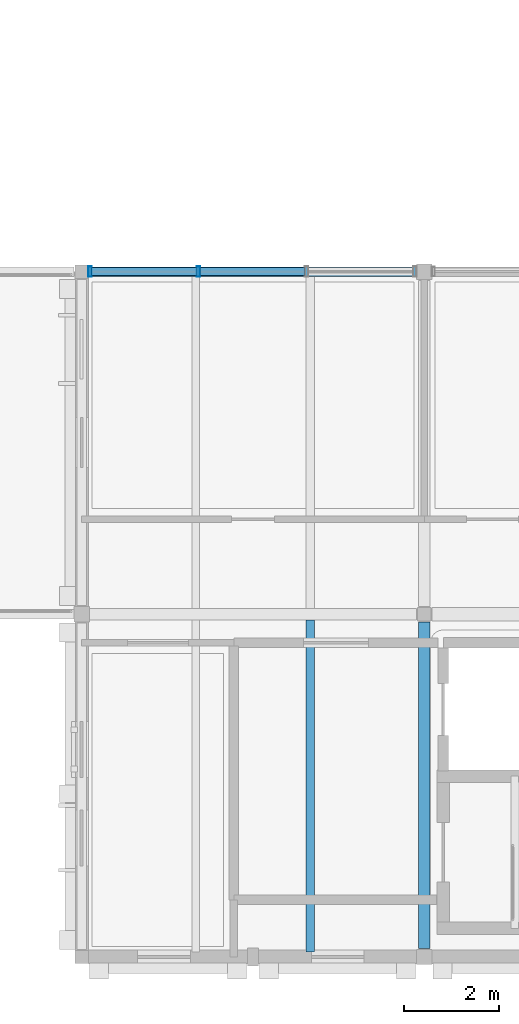
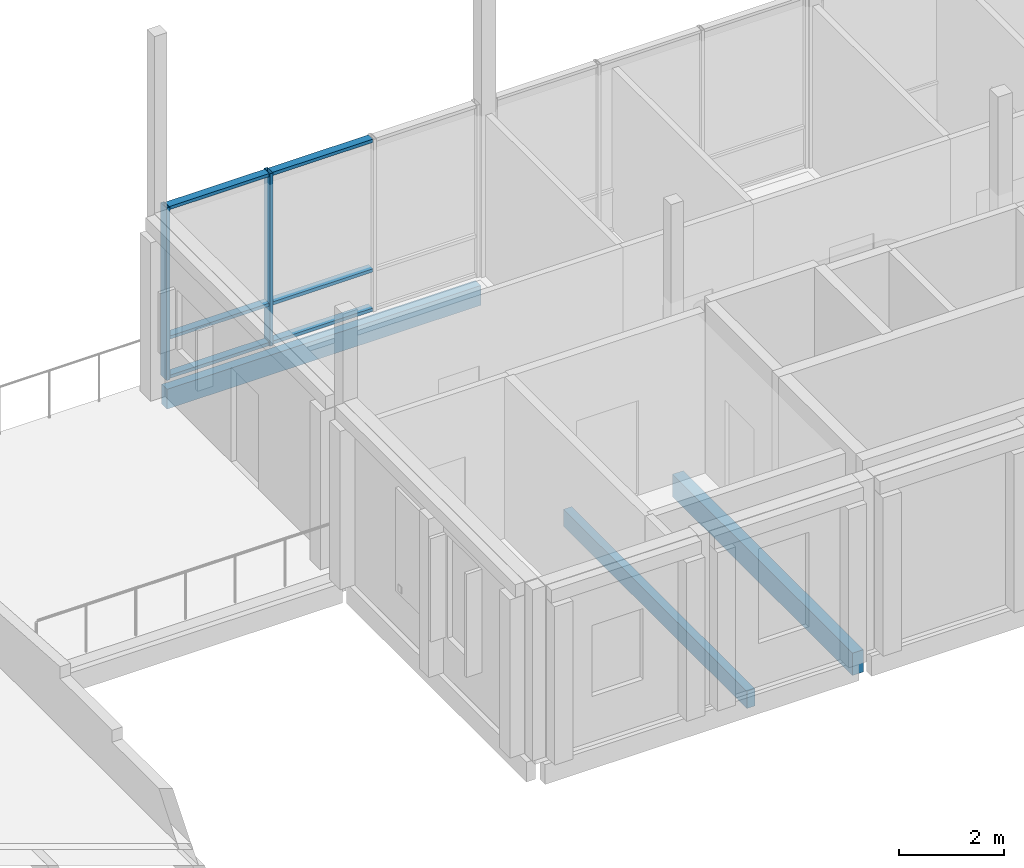
# One storey, part 7 of 57: 8 members, 3 beams, 1 element without a shape of its own.
"""IFC4 building model written with IfcOpenShell, lengths in metres."""

import ifcopenshell
import ifcopenshell.guid

model = None  # the IFC model being written
_history = None  # IfcOwnerHistory: only IFC2X3 demands one
_inside = {}  # id of a spatial element -> (the spatial element, [elements in it])
_under = {}  # id of a project, library or spatial element -> (it, [spatial elements below it])
_declared = {}  # id of a project -> (the project, [libraries it declares])
_typed = {}  # id of a type object -> (the type object, [elements of that type])
_made_of = {}  # id of a material, layer set ... -> (it, [elements and type objects made of it])


def new_model(schema):
    """Start an empty IFC model of exactly this schema.

    Asked for "IFC4X3", IfcOpenShell would pick the latest addendum, in which some entities
    have other attributes; the version numbers below select the first issue.
    IFC2X3 requires an IfcOwnerHistory on every rooted entity: one is made here for all.
    """
    global model, _history
    if schema == "IFC4X3":
        model = ifcopenshell.file(schema_version=(4, 3, 0, 0))
    else:
        model = ifcopenshell.file(schema=schema)
    _inside.clear()
    _under.clear()
    _declared.clear()
    _typed.clear()
    _made_of.clear()
    _history = None
    if model.schema == "IFC2X3":
        org = make("IfcOrganization", Name="unknown")
        user = make(
            "IfcPersonAndOrganization",
            ThePerson=make("IfcPerson", FamilyName="unknown"),
            TheOrganization=org,
        )
        app = make(
            "IfcApplication",
            ApplicationDeveloper=org,
            Version="unknown",
            ApplicationFullName="unknown",
            ApplicationIdentifier="unknown",
        )
        _history = make(
            "IfcOwnerHistory",
            OwningUser=user,
            OwningApplication=app,
            ChangeAction="ADDED",
            CreationDate=0,
        )
    return model


def make(cls, **values):
    """One entity of the class cls with the attributes given. An attribute that is None is left unset."""
    return model.create_entity(
        cls, **{name: value for name, value in values.items() if value is not None}
    )


def rooted(cls, **values):
    """An entity with a GlobalId (a new one), such as an element, a storey or a relation."""
    return make(cls, GlobalId=ifcopenshell.guid.new(), OwnerHistory=_history, **values)


def si_unit(unit_type, name, prefix=None):
    """IfcSIUnit, for example si_unit("LENGTHUNIT", "METRE", prefix="MILLI")."""
    return make("IfcSIUnit", UnitType=unit_type, Prefix=prefix, Name=name)


def assignment(units):
    """IfcUnitAssignment: the units of a project."""
    return None if units is None else make("IfcUnitAssignment", Units=units)


def point(xyz):
    """IfcCartesianPoint."""
    return None if xyz is None else make("IfcCartesianPoint", Coordinates=xyz)


def direction(xyz):
    """IfcDirection."""
    return None if xyz is None else make("IfcDirection", DirectionRatios=xyz)


def frame(location, z_axis=None, x_axis=None):
    """IfcAxis2Placement3D, a coordinate frame: its origin and axes. An axis left out is left unset."""
    return make(
        "IfcAxis2Placement3D",
        Location=point(location),
        Axis=direction(z_axis),
        RefDirection=direction(x_axis),
    )


def frame_2d(location, x_axis=None):
    """IfcAxis2Placement2D, a coordinate frame in the plane: its origin and x axis."""
    return make(
        "IfcAxis2Placement2D", Location=point(location), RefDirection=direction(x_axis)
    )


def origin():
    """The frame at (0, 0, 0) with its axes left unset."""
    return frame((0.0, 0.0, 0.0))


def origin_2d():
    """The frame at (0, 0) in the plane with its x axis left unset."""
    return frame_2d((0.0, 0.0))


def place(relative_to, where):
    """IfcLocalPlacement: puts the frame where relative to a parent placement (None: the world)."""
    return make(
        "IfcLocalPlacement", PlacementRelTo=relative_to, RelativePlacement=where
    )


def context(
    kind, dimensions, precision=None, world=None, true_north=None, identifier=None
):
    """IfcGeometricRepresentationContext, for example the 3D "Model" context."""
    return make(
        "IfcGeometricRepresentationContext",
        ContextIdentifier=identifier,
        ContextType=kind,
        CoordinateSpaceDimension=dimensions,
        Precision=precision,
        WorldCoordinateSystem=world,
        TrueNorth=true_north,
    )


def subcontext(parent, identifier, kind, view, scale=None):
    """IfcGeometricRepresentationSubContext, for example "Body" below "Model"."""
    return make(
        "IfcGeometricRepresentationSubContext",
        ContextIdentifier=identifier,
        ContextType=kind,
        ParentContext=parent,
        TargetScale=scale,
        TargetView=view,
    )


def project(units=None, contexts=None):
    """IfcProject with its units and contexts."""
    return rooted(
        "IfcProject",
        Name="project",
        RepresentationContexts=contexts,
        UnitsInContext=assignment(units),
    )


def spatial(cls, under=None, at=None, **own):
    """A site, building, storey or space (cls), placed at a placement, below another one or the project."""
    s = rooted(cls, ObjectPlacement=at, **own)
    if under is not None:
        _under.setdefault(under.id(), (under, []))[1].append(s)
    return s


def profile(cls, at=None, kind="AREA", **sizes):
    """A parametric profile (cls). Its sizes go by their IFC names, for example OverallWidth=200.0."""
    return make(cls, ProfileType=kind, Position=at, **sizes)


def rectangle(**sizes):
    """IfcRectangleProfileDef."""
    return profile("IfcRectangleProfileDef", **sizes)


def hollow_rectangle(**sizes):
    """IfcRectangleHollowProfileDef."""
    return profile("IfcRectangleHollowProfileDef", **sizes)


def extrude(swept, where, along, depth):
    """IfcExtrudedAreaSolid: the profile swept, set in the frame where, extruded along a direction by depth."""
    return make(
        "IfcExtrudedAreaSolid",
        SweptArea=swept,
        Position=where,
        ExtrudedDirection=direction(along),
        Depth=depth,
    )


def shape(context_of_items, identifier, shape_type, items):
    """IfcShapeRepresentation: the items that make up one representation, for example the "Body"."""
    return make(
        "IfcShapeRepresentation",
        ContextOfItems=context_of_items,
        RepresentationIdentifier=identifier,
        RepresentationType=shape_type,
        Items=items,
    )


def material(Name=None, Category=None):
    """IfcMaterial."""
    return make("IfcMaterial", Name=Name, Category=Category)


def material_profile(
    of_material, cross_section, Name=None, Category=None, Priority=None
):
    """IfcMaterialProfile: a cross section and its material."""
    return make(
        "IfcMaterialProfile",
        Name=Name,
        Material=of_material,
        Profile=cross_section,
        Priority=Priority,
        Category=Category,
    )


def profile_set(profiles, Name=None, composite=None):
    """IfcMaterialProfileSet."""
    return make(
        "IfcMaterialProfileSet",
        Name=Name,
        MaterialProfiles=profiles,
        CompositeProfile=composite,
    )


def made_of(thing, what):
    """Note that an element or type object is made of a material, layer set ...; save() writes the relation."""
    if what is not None:
        _made_of.setdefault(what.id(), (what, []))[1].append(thing)
    return thing


def type_object(cls, material=None, **own):
    """A type object (cls), such as IfcWallType, which elements share."""
    return made_of(rooted(cls, **own), material)


def element(
    cls,
    number,
    at=None,
    inside=None,
    cuts=None,
    type_object=None,
    material=None,
    context=None,
    identifier="Body",
    shape_type=None,
    held_by="IfcProductDefinitionShape",
    body=None,
    shapes=None,
    **own,
):
    """One element of the class cls, such as IfcWall. Its Tag is "e" and its number.

    at: its placement. inside: the storey or other place that contains it. cuts: it is an
    opening in that element (IfcRelVoidsElement). A single representation is given by context,
    identifier, shape_type and body (its items); several are given by shapes. held_by: the class
    of the entity that holds the representations. save() writes the other relations.
    """
    e = rooted(cls, Tag="e%d" % number, ObjectPlacement=at, **own)
    if body is not None:
        shapes = [shape(context, identifier, shape_type, body)]
    if shapes is not None:
        e.Representation = make(held_by, Representations=shapes)
    if inside is not None:
        _inside.setdefault(inside.id(), (inside, []))[1].append(e)
    if cuts is not None:
        rooted(
            "IfcRelVoidsElement", RelatingBuildingElement=cuts, RelatedOpeningElement=e
        )
    if type_object is not None:
        _typed.setdefault(type_object.id(), (type_object, []))[1].append(e)
    return made_of(e, material)


def aggregate(whole, parts):
    """IfcRelAggregates: a whole, such as a stair, and the parts it consists of."""
    return rooted("IfcRelAggregates", RelatingObject=whole, RelatedObjects=parts)


def save(model, path):
    """Write the relations noted so far, then the file.

    IfcRelAggregates (storeys below a building ...), IfcRelContainedInSpatialStructure (elements
    in a storey), IfcRelDefinesByType, IfcRelAssociatesMaterial and IfcRelDeclares: one each for
    every whole, place, type object, material and project.
    """
    for whole, parts in _under.values():
        aggregate(whole, parts)
    for where, things in _inside.values():
        rooted(
            "IfcRelContainedInSpatialStructure",
            RelatedElements=things,
            RelatingStructure=where,
        )
    for kind, things in _typed.values():
        rooted("IfcRelDefinesByType", RelatedObjects=things, RelatingType=kind)
    for what, things in _made_of.values():
        rooted("IfcRelAssociatesMaterial", RelatedObjects=things, RelatingMaterial=what)
    for by, libraries in _declared.values():
        rooted("IfcRelDeclares", RelatingContext=by, RelatedDefinitions=libraries)
    model.write(path)


model = new_model("IFC4")

# Units and contexts
model_context = context("Model", 3, precision=1e-05, world=origin(), true_north=direction((0.0, 1.0)))
body_context = subcontext(model_context, "Body", "Model", "MODEL_VIEW")
ifc_project = project(units=[si_unit("LENGTHUNIT", "METRE"), si_unit("AREAUNIT", "SQUARE_METRE"), si_unit("VOLUMEUNIT", "CUBIC_METRE"), si_unit("PLANEANGLEUNIT", "RADIAN"), si_unit("MASSUNIT", "GRAM", prefix="KILO")], contexts=[model_context])

# Site, building, storey
site_placement = place(None, origin())
site = spatial("IfcSite", under=ifc_project, at=site_placement, CompositionType="ELEMENT")
building_placement = place(site_placement, origin())
building = spatial("IfcBuilding", under=site, at=building_placement, Name="Hawrajan Terrace Health Centre", CompositionType="ELEMENT")
storey_placement = place(building_placement, frame((0.0, 0.0, 13.199951171875)))
storey = spatial("IfcBuildingStorey", under=building, at=storey_placement, Name="L03", CompositionType="ELEMENT", Elevation=13.199951171875)

# Curtain wall, members
ifc_material_1 = material(Name="Anodized bronze aluminium and low-E solar glazing", Category="aluminium")
curtain_wall_type = type_object("IfcCurtainWallType", Name="CW_Bridge_SeriesJ1", PredefinedType="USERDEFINED", material=ifc_material_1)
curtain_wall_placement = place(storey_placement, origin())
curtain_wall = element("IfcCurtainWall", 1, at=curtain_wall_placement, inside=storey, type_object=curtain_wall_type, Name="Curtain wall CW-L03-164", ObjectType="UNITISED CURTAIN WALL", PredefinedType="USERDEFINED")
ifc_material_2 = material(Name="Anodized bronze aluminium 6063-T6", Category="aluminium")
ifc_material_profile_1 = material_profile(ifc_material_2, hollow_rectangle(XDim=0.074951171875, YDim=0.219970703125, WallThickness=0.0048828125, at=origin_2d()), Name="CW MUL 75x220")
ifc_profile_set_1 = profile_set([ifc_material_profile_1], Name="Anodized bronze aluminium 6063-T6")
member_type_1 = type_object("IfcMemberType", Name="CWMullion_75x220", PredefinedType="MULLION", material=ifc_profile_set_1)
member_1_placement = place(storey_placement, frame((47.9775390625, 18.60009765625, -0.0048828125), z_axis=(0.0, 0.0, 1.0), x_axis=(1.0, 0.0, 0.0)))
member_1 = element("IfcMember", 2, at=member_1_placement, type_object=member_type_1, Name="Mullion CW-L03-164-M1", PredefinedType="MULLION", context=body_context, shape_type="SweptSolid", body=[
    extrude(hollow_rectangle(XDim=0.074951171875, YDim=0.219970703125, WallThickness=0.0048828125, at=origin_2d()), origin(), (0.0, 0.0, 1.0), 4.010009765625),
])
member_2_placement = place(storey_placement, frame((50.25244140625, 18.60009765625, -0.0048828125), z_axis=(0.0, 0.0, 1.0), x_axis=(1.0, 0.0, 0.0)))
member_2 = element("IfcMember", 3, at=member_2_placement, type_object=member_type_1, Name="Mullion CW-L03-164-M2", PredefinedType="MULLION", context=body_context, shape_type="SweptSolid", body=[
    extrude(hollow_rectangle(XDim=0.074951171875, YDim=0.219970703125, WallThickness=0.0048828125, at=origin_2d()), origin(), (0.0, 0.0, 1.0), 4.010009765625),
])
ifc_material_profile_2 = material_profile(ifc_material_2, hollow_rectangle(XDim=0.074951171875, YDim=0.169921875, WallThickness=0.00439453125, at=origin_2d()), Name="CW TRN 75x170")
ifc_profile_set_2 = profile_set([ifc_material_profile_2], Name="Anodized bronze aluminium 6063-T6")
member_type_2 = type_object("IfcMemberType", Name="CWTransom_75x170", PredefinedType="USERDEFINED", material=ifc_profile_set_2)
member_3_placement = place(storey_placement, frame((48.009033203125, 18.60009765625, 0.03759765625), z_axis=(1.0, 0.0, 0.0), x_axis=(0.0, 0.0, 1.0)))
member_3 = element("IfcMember", 4, at=member_3_placement, type_object=member_type_2, Name="Transom CW-L03-164-T1-1", ObjectType="TRANSOM", PredefinedType="USERDEFINED", context=body_context, shape_type="SweptSolid", body=[
    extrude(hollow_rectangle(XDim=0.074951171875, YDim=0.169921875, WallThickness=0.00439453125, at=origin_2d()), origin(), (0.0, 0.0, 1.0), 2.2119140625),
])
member_4_placement = place(storey_placement, frame((48.009033203125, 18.60009765625, 0.949951171875), z_axis=(1.0, 0.0, 0.0), x_axis=(0.0, 0.0, 1.0)))
member_4 = element("IfcMember", 5, at=member_4_placement, type_object=member_type_2, Name="Transom CW-L03-164-T1-2", ObjectType="TRANSOM", PredefinedType="USERDEFINED", context=body_context, shape_type="SweptSolid", body=[
    extrude(hollow_rectangle(XDim=0.074951171875, YDim=0.169921875, WallThickness=0.00439453125, at=origin_2d()), origin(), (0.0, 0.0, 1.0), 2.2119140625),
])
member_5_placement = place(storey_placement, frame((48.009033203125, 18.60009765625, 3.962646484375), z_axis=(1.0, 0.0, 0.0), x_axis=(0.0, 0.0, 1.0)))
member_5 = element("IfcMember", 6, at=member_5_placement, type_object=member_type_2, Name="Transom CW-L03-164-T1-3", ObjectType="TRANSOM", PredefinedType="USERDEFINED", context=body_context, shape_type="SweptSolid", body=[
    extrude(hollow_rectangle(XDim=0.074951171875, YDim=0.169921875, WallThickness=0.00439453125, at=origin_2d()), origin(), (0.0, 0.0, 1.0), 2.2119140625),
])
member_6_placement = place(storey_placement, frame((50.283935546875, 18.60009765625, 0.03759765625), z_axis=(1.0, 0.0, 0.0), x_axis=(0.0, 0.0, 1.0)))
member_6 = element("IfcMember", 7, at=member_6_placement, type_object=member_type_2, Name="Transom CW-L03-164-T2-1", ObjectType="TRANSOM", PredefinedType="USERDEFINED", context=body_context, shape_type="SweptSolid", body=[
    extrude(hollow_rectangle(XDim=0.074951171875, YDim=0.169921875, WallThickness=0.00439453125, at=origin_2d()), origin(), (0.0, 0.0, 1.0), 2.212158203125),
])
member_7_placement = place(storey_placement, frame((50.283935546875, 18.60009765625, 0.949951171875), z_axis=(1.0, 0.0, 0.0), x_axis=(0.0, 0.0, 1.0)))
member_7 = element("IfcMember", 8, at=member_7_placement, type_object=member_type_2, Name="Transom CW-L03-164-T2-2", ObjectType="TRANSOM", PredefinedType="USERDEFINED", context=body_context, shape_type="SweptSolid", body=[
    extrude(hollow_rectangle(XDim=0.074951171875, YDim=0.169921875, WallThickness=0.00439453125, at=origin_2d()), origin(), (0.0, 0.0, 1.0), 2.212158203125),
])
member_8_placement = place(storey_placement, frame((50.283935546875, 18.60009765625, 3.962646484375), z_axis=(1.0, 0.0, 0.0), x_axis=(0.0, 0.0, 1.0)))
member_8 = element("IfcMember", 9, at=member_8_placement, type_object=member_type_2, Name="Transom CW-L03-164-T2-3", ObjectType="TRANSOM", PredefinedType="USERDEFINED", context=body_context, shape_type="SweptSolid", body=[
    extrude(hollow_rectangle(XDim=0.074951171875, YDim=0.169921875, WallThickness=0.00439453125, at=origin_2d()), origin(), (0.0, 0.0, 1.0), 2.212158203125),
])
aggregate(curtain_wall, [member_1, member_2, member_3, member_4, member_5, member_6, member_7, member_8])

# Beams
ifc_material_3 = material(Name="Glulam GL32h", Category="wood")
ifc_material_profile_3 = material_profile(ifc_material_3, rectangle(XDim=0.239990234375, YDim=0.52001953125, at=origin_2d()), Name="GL BM 240x520")
ifc_profile_set_3 = profile_set([ifc_material_profile_3], Name="Glulam GL32h")
beam_type_1 = type_object("IfcBeamType", Name="GlulamGirder_240x520", PredefinedType="BEAM", material=ifc_profile_set_3)
beam_1_placement = place(storey_placement, frame((55.0, 4.3798828125, -0.469970703125), z_axis=(0.0, 1.0, 0.0), x_axis=(-1.0, 0.0, 0.0)))
element("IfcBeam", 10, at=beam_1_placement, inside=storey, type_object=beam_type_1, Name="Beam BM-Y-L03-W-X08-1", PredefinedType="BEAM", context=body_context, shape_type="SweptSolid", body=[
    extrude(rectangle(XDim=0.239990234375, YDim=0.52001953125, at=origin_2d()), origin(), (0.0, 0.0, 1.0), 6.860107421875),
])
ifc_material_4 = material(Name="Glulam GL28h", Category="wood")
ifc_material_profile_4 = material_profile(ifc_material_4, rectangle(XDim=0.179931640625, YDim=0.39990234375, at=origin_2d()), Name="GL JST 180x400")
ifc_profile_set_4 = profile_set([ifc_material_profile_4], Name="Glulam GL28h")
beam_type_2 = type_object("IfcBeamType", Name="GlulamJoist_180x400", PredefinedType="JOIST", material=ifc_profile_set_4)
beam_2_placement = place(storey_placement, frame((52.60009765625, 4.300048828125, -0.419921875), z_axis=(0.0, 1.0, 0.0), x_axis=(-1.0, 0.0, 0.0)))
element("IfcBeam", 11, at=beam_2_placement, inside=storey, type_object=beam_type_2, Name="Secondary joist JST-L03-W-07-1-2", PredefinedType="JOIST", context=body_context, shape_type="SweptSolid", body=[
    extrude(rectangle(XDim=0.179931640625, YDim=0.39990234375, at=origin_2d()), origin(), (0.0, 0.0, 1.0), 6.97998046875),
])
ifc_material_profile_5 = material_profile(ifc_material_3, rectangle(XDim=0.199951171875, YDim=0.4599609375, at=origin_2d()), Name="GL SP 200x460")
ifc_profile_set_5 = profile_set([ifc_material_profile_5], Name="Glulam GL32h")
beam_type_3 = type_object("IfcBeamType", Name="GlulamSpandrel_200x460", PredefinedType="SPANDREL", material=ifc_profile_set_5)
beam_3_placement = place(storey_placement, frame((47.9599609375, 18.60009765625, -0.449951171875), z_axis=(1.0, 0.0, 0.0), x_axis=(0.0, 1.0, 0.0)))
element("IfcBeam", 12, at=beam_3_placement, inside=storey, type_object=beam_type_3, Name="Beam BM-X-L03-W-07-Y3", PredefinedType="SPANDREL", context=body_context, shape_type="SweptSolid", body=[
    extrude(rectangle(XDim=0.199951171875, YDim=0.4599609375, at=origin_2d()), origin(), (0.0, 0.0, 1.0), 6.900146484375),
])

save(model, "model.ifc")
